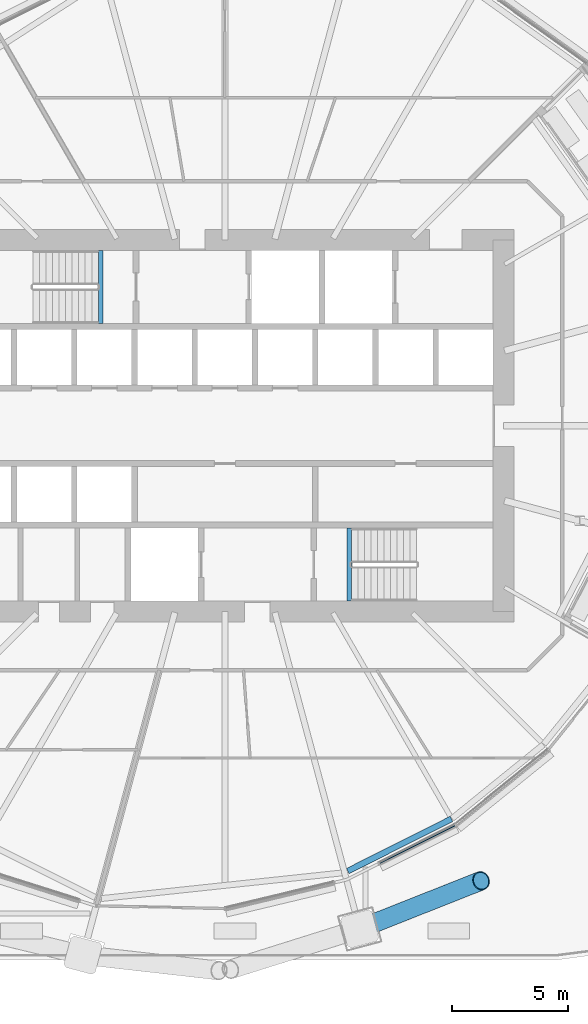
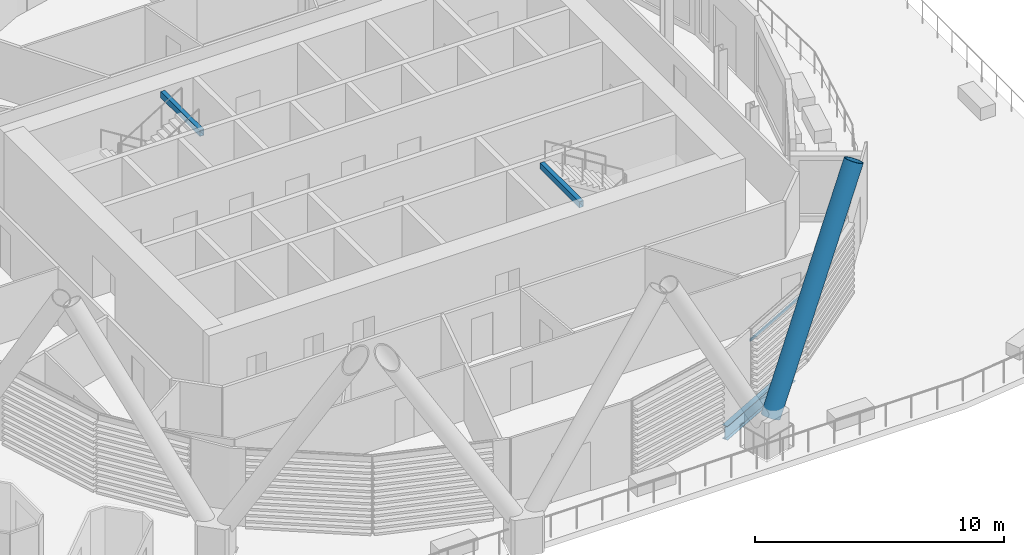
# One storey, part 16 of 47: 3 beams, 2 members, 1 element without a shape of its own.
"""IFC4 building model written with IfcOpenShell, lengths in metres."""

from ifc_helpers import new_model, si_unit, direction, frame, origin, origin_2d, place, context, subcontext, project, spatial, rectangle, hollow_rectangle, hollow_circle, i_section, extrude, material, material_profile, profile_set, type_object, element, aggregate, save


model = new_model("IFC4")

# Units and contexts
model_context = context("Model", 3, precision=1e-05, world=origin(), true_north=direction((0.0, 1.0)))
body_context = subcontext(model_context, "Body", "Model", "MODEL_VIEW")
ifc_project = project(units=[si_unit("LENGTHUNIT", "METRE"), si_unit("AREAUNIT", "SQUARE_METRE"), si_unit("VOLUMEUNIT", "CUBIC_METRE"), si_unit("PLANEANGLEUNIT", "RADIAN"), si_unit("MASSUNIT", "GRAM", prefix="KILO")], contexts=[model_context])

# Site, building, storey
site_placement = place(None, origin())
site = spatial("IfcSite", under=ifc_project, at=site_placement, CompositionType="ELEMENT")
building_placement = place(site_placement, origin())
building = spatial("IfcBuilding", under=site, at=building_placement, Name="Rimbun Link Towers", CompositionType="ELEMENT")
storey_placement = place(building_placement, frame((0.0, 0.0, 30.0)))
storey = spatial("IfcBuildingStorey", under=building, at=storey_placement, Name="L06", CompositionType="ELEMENT", Elevation=30.0)

# Curtain wall, member
ifc_material_1 = material(Name="Aluminium 6063-T6 and low-iron glass", Category="aluminium")
curtain_wall_type = type_object("IfcCurtainWallType", Name="CW1 unitised vision wall", PredefinedType="NOTDEFINED", material=ifc_material_1)
curtain_wall_placement = place(storey_placement, origin())
curtain_wall = element("IfcCurtainWall", 1, at=curtain_wall_placement, inside=storey, type_object=curtain_wall_type, Name="CW1 L06 T2", PredefinedType="NOTDEFINED")
ifc_material_2 = material(Name="Aluminium 6063-T6", Category="aluminium")
ifc_material_profile_1 = material_profile(ifc_material_2, rectangle(XDim=0.06005859375, YDim=0.1201171875, at=origin_2d()), Name="TRANSOM 60X120")
ifc_profile_set_1 = profile_set([ifc_material_profile_1], Name="Aluminium 6063-T6")
member_type_1 = type_object("IfcMemberType", Name="CW1 transom 60X120", PredefinedType="USERDEFINED", material=ifc_profile_set_1)
member_1_placement = place(storey_placement, frame((41.643798828125, -17.203125, 3.199951171875), z_axis=(-0.893643462772, -0.448777630286, 0.0), x_axis=(0.448777630286, -0.893643462772, 0.0)))
member_1 = element("IfcMember", 2, at=member_1_placement, type_object=member_type_1, Name="CW1 transom", ObjectType="TRANSOM", PredefinedType="USERDEFINED", context=body_context, shape_type="SweptSolid", body=[
    extrude(rectangle(XDim=0.06005859375, YDim=0.1201171875, at=origin_2d()), origin(), (0.0, 0.0, 1.0), 3.619873046875),
])
aggregate(curtain_wall, [member_1])

# Member
ifc_material_3 = material(Name="Steel S460NH", Category="steel")
ifc_material_profile_2 = material_profile(ifc_material_3, hollow_circle(Radius=0.406494140625, WallThickness=0.0400390625, at=origin_2d()), Name="Diagrid diagonal CHS 813x40")
ifc_profile_set_2 = profile_set([ifc_material_profile_2], Name="Steel S460NH")
member_type_2 = type_object("IfcMemberType", Name="Diagrid diagonal CHS 813x40", PredefinedType="BRACE", material=ifc_profile_set_2)
member_2_placement = place(storey_placement, frame((37.780029296875, -21.568359375, 1.33642578125), z_axis=(0.45347632045, 0.179570689605, 0.872991176488), x_axis=(-0.368171899501, 0.929757738563, 0.0)))
element("IfcMember", 3, at=member_2_placement, inside=storey, type_object=member_type_2, Name="Diagrid diagonal T2 L06-L09 16b", PredefinedType="BRACE", context=body_context, shape_type="SweptSolid", body=[
    extrude(hollow_circle(Radius=0.406494140625, WallThickness=0.0400390625, at=origin_2d()), origin(), (0.0, 0.0, 1.0), 11.027587890625),
])

# Beams
ifc_material_4 = material(Name="Steel S355J2", Category="steel")
ifc_material_profile_3 = material_profile(ifc_material_4, hollow_rectangle(XDim=0.199951171875, YDim=0.300048828125, WallThickness=0.011962890625, at=origin_2d()), Name="BOX 300x200x12")
ifc_profile_set_3 = profile_set([ifc_material_profile_3], Name="Steel S355J2")
beam_type_1 = type_object("IfcBeamType", Name="Stair trimmer beam BOX 300x200x12", PredefinedType="BEAM", material=ifc_profile_set_3)
for number, where, z_axis, x_axis, name in (
    (4, (26.39990234375, 7.550048828125, 3.489990234375), (0.0, -1.0, 0.0), (1.0, 0.0, 0.0), "L06 ST3 stair beam 1"),
    (5, (37.10009765625, -7.550048828125, 3.489990234375), (0.0, 1.0, 0.0), (-1.0, 0.0, 0.0), "L06 ST4 stair beam 1"),
):
    element("IfcBeam", number, at=place(storey_placement, frame(where, z_axis=z_axis, x_axis=x_axis)), inside=storey, type_object=beam_type_1, Name=name, PredefinedType="BEAM", context=body_context, shape_type="SweptSolid", body=[
        extrude(hollow_rectangle(XDim=0.199951171875, YDim=0.300048828125, WallThickness=0.011962890625, at=origin_2d()), origin(), (0.0, 0.0, 1.0), 3.150146484375),
    ])
ifc_material_5 = material(Name="Steel S355J2", Category="steel")
ifc_material_profile_4 = material_profile(ifc_material_5, i_section(OverallWidth=0.253662109375, OverallDepth=0.68359375, WebThickness=0.012451171875, FlangeThickness=0.01904296875, at=origin_2d()), Name="UB 686x254x140")
ifc_profile_set_4 = profile_set([ifc_material_profile_4], Name="Steel S355J2")
beam_type_2 = type_object("IfcBeamType", Name="UB 686x254x140", PredefinedType="BEAM", material=ifc_profile_set_4)
beam_placement = place(storey_placement, frame((37.044921875, -19.167724609375, -0.641845703125), z_axis=(0.893427268905, 0.44920787524, 0.0), x_axis=(-0.44920787524, 0.893427268905, 0.0)))
element("IfcBeam", 6, at=beam_placement, inside=storey, type_object=beam_type_2, Name="Edge beam T2 L06 16", PredefinedType="BEAM", context=body_context, shape_type="SweptSolid", body=[
    extrude(i_section(OverallWidth=0.253662109375, OverallDepth=0.68359375, WebThickness=0.012451171875, FlangeThickness=0.01904296875, at=origin_2d()), origin(), (0.0, 0.0, 1.0), 4.991943359375),
])

save(model, "model.ifc")
